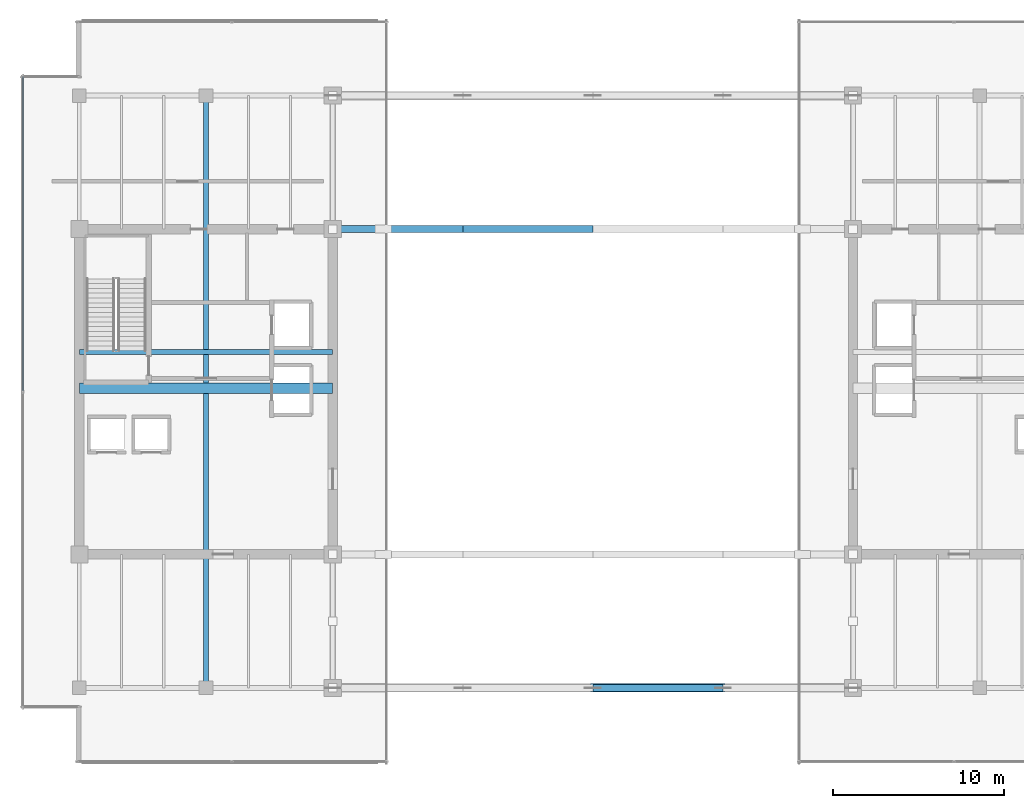
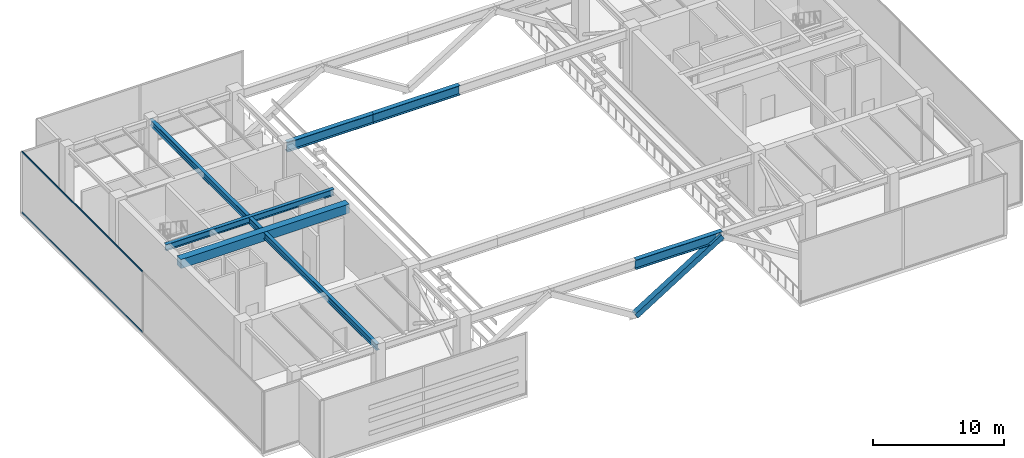
# One storey, part 7 of 30: 6 beams, 3 members, 1 element without a shape of its own.
"""IFC4 building model written with IfcOpenShell, lengths in metres."""

from ifc_helpers import new_model, si_unit, direction, frame, origin, origin_2d, place, context, subcontext, project, spatial, rectangle, hollow_rectangle, i_section, extrude, source, transform, mapped, material, layer, layer_set, material_profile, profile_set, type_object, type_shapes, element, aggregate, save


model = new_model("IFC4")

# Units and contexts
model_context = context("Model", 3, precision=1e-05, world=origin(), true_north=direction((0.0, 1.0)))
body_context = subcontext(model_context, "Body", "Model", "MODEL_VIEW")
ifc_project = project(units=[si_unit("LENGTHUNIT", "METRE"), si_unit("AREAUNIT", "SQUARE_METRE"), si_unit("VOLUMEUNIT", "CUBIC_METRE"), si_unit("PLANEANGLEUNIT", "RADIAN"), si_unit("MASSUNIT", "GRAM", prefix="KILO")], contexts=[model_context])

# Site, building, storey
site_placement = place(None, origin())
site = spatial("IfcSite", under=ifc_project, at=site_placement, CompositionType="ELEMENT")
building_placement = place(site_placement, origin())
building = spatial("IfcBuilding", under=site, at=building_placement, Name="Haelvirn Gate Laboratories", CompositionType="ELEMENT")
storey_placement = place(building_placement, frame((0.0, 0.0, 291.60009765625)))
storey = spatial("IfcBuildingStorey", under=building, at=storey_placement, Name="L70", CompositionType="ELEMENT", Elevation=291.60009765625)

# Beams
ifc_material_1 = material(Name="Steel SM355", Category="steel")
ifc_material_profile_1 = material_profile(ifc_material_1, i_section(OverallWidth=0.300048828125, OverallDepth=0.587890625, WebThickness=0.011962890625, FlangeThickness=0.02001953125, at=origin_2d()), Name="H-588x300x12x20")
ifc_profile_set_1 = profile_set([ifc_material_profile_1], Name="Steel SM355")
beam_type_1 = type_object("IfcBeamType", Name="BM-G-588", PredefinedType="BEAM", material=ifc_profile_set_1)
shared_shape_1 = source(origin(), body_context, "Body", "SweptSolid", [
    extrude(i_section(OverallWidth=0.300048828125, OverallDepth=0.587890625, WebThickness=0.011962890625, FlangeThickness=0.02001953125, at=origin_2d()), origin(), (0.0, 0.0, 1.0), 14.800048828125),
])
beam_1_placement = place(storey_placement, frame((7.39990234375, 26.6201171875, 5.406005859375), z_axis=(1.0, 0.0, 0.0), x_axis=(0.0, 1.0, 0.0)))
element("IfcBeam", 1, at=beam_1_placement, inside=storey, type_object=beam_type_1, Name="L70 Stair ST1 Landing Header", PredefinedType="BEAM", context=body_context, shape_type="MappedRepresentation", body=[
    mapped(shared_shape_1, transform((0.0, 0.0, 0.0), scale=1.0)),
])
ifc_material_2 = material(Name="Steel SM420", Category="steel")
ifc_material_profile_2 = material_profile(ifc_material_2, i_section(OverallWidth=0.39990234375, OverallDepth=0.89990234375, WebThickness=0.01904296875, FlangeThickness=0.031982421875, at=origin_2d()), Name="H-900x400x19x32")
ifc_profile_set_2 = profile_set([ifc_material_profile_2], Name="Steel SM420")
beam_type_2 = type_object("IfcBeamType", Name="BM-TG-900", PredefinedType="BEAM", material=ifc_profile_set_2)
shared_shape_2 = source(origin(), body_context, "Body", "SweptSolid", [
    extrude(i_section(OverallWidth=0.39990234375, OverallDepth=0.89990234375, WebThickness=0.01904296875, FlangeThickness=0.031982421875, at=origin_2d()), origin(), (0.0, 0.0, 1.0), 7.60009765625),
])
for number, where, z_axis, x_axis, name in (
    (2, (37.39990234375, 7.0, 5.25), (1.0, 0.0, 0.0), (0.0, 1.0, 0.0), "L71 Arch Bridge Bottom Tie Chord Y7.0-3"),
    (3, (22.199951171875, 33.800048828125, 5.25), (1.0, 0.0, 0.0), (0.0, 1.0, 0.0), "L71 Arch Bridge Bottom Tie Chord Y33.8-1"),
):
    element("IfcBeam", number, at=place(storey_placement, frame(where, z_axis=z_axis, x_axis=x_axis)), inside=storey, type_object=beam_type_2, Name=name, PredefinedType="BEAM", context=body_context, shape_type="MappedRepresentation", body=[
        mapped(shared_shape_2, transform((0.0, 0.0, 0.0), scale=1.0)),
    ])
shared_shape_3 = source(origin(), body_context, "Body", "SweptSolid", [
    extrude(i_section(OverallWidth=0.39990234375, OverallDepth=0.89990234375, WebThickness=0.01904296875, FlangeThickness=0.031982421875, at=origin_2d()), origin(), (0.0, 0.0, 1.0), 7.599853515625),
])
type_shapes(beam_type_2, [shared_shape_2, shared_shape_3])
beam_2_placement = place(storey_placement, frame((29.800048828125, 33.800048828125, 5.25), z_axis=(1.0, 0.0, 0.0), x_axis=(0.0, 1.0, 0.0)))
element("IfcBeam", 4, at=beam_2_placement, inside=storey, type_object=beam_type_2, Name="L71 Arch Bridge Bottom Tie Chord Y33.8-2", PredefinedType="BEAM", context=body_context, shape_type="MappedRepresentation", body=[
    mapped(shared_shape_3, transform((0.0, 0.0, 0.0), scale=1.0)),
])
shared_shape_4 = source(origin(), body_context, "Body", "SweptSolid", [
    extrude(i_section(OverallWidth=0.300048828125, OverallDepth=0.587890625, WebThickness=0.011962890625, FlangeThickness=0.02001953125, at=origin_2d()), origin(), (0.0, 0.0, 1.0), 34.60009765625),
])
type_shapes(beam_type_1, [shared_shape_1, shared_shape_4])
beam_3_placement = place(storey_placement, frame((14.800048828125, 7.0, 5.406005859375), z_axis=(0.0, 1.0, 0.0), x_axis=(-1.0, 0.0, 0.0)))
element("IfcBeam", 5, at=beam_3_placement, inside=storey, type_object=beam_type_1, Name="L70 Frame Girder X14.8 (7.0-41.6)", PredefinedType="BEAM", context=body_context, shape_type="MappedRepresentation", body=[
    mapped(shared_shape_4, transform((0.0, 0.0, 0.0), scale=1.0)),
])
ifc_material_3 = material(Name="Concrete C50/60", Category="concrete")
ifc_material_profile_3 = material_profile(ifc_material_3, rectangle(XDim=0.60009765625, YDim=0.85009765625, at=origin_2d()), Name="RCB-600x850")
ifc_profile_set_3 = profile_set([ifc_material_profile_3], Name="Concrete C50/60")
beam_type_3 = type_object("IfcBeamType", Name="BM-RCB-850", PredefinedType="LINTEL", material=ifc_profile_set_3)
shared_shape_5 = source(origin(), body_context, "Body", "SweptSolid", [
    extrude(rectangle(XDim=0.60009765625, YDim=0.85009765625, at=origin_2d()), origin(), (0.0, 0.0, 1.0), 14.800048828125),
])
type_shapes(beam_type_3, [shared_shape_5])
beam_4_placement = place(storey_placement, frame((7.39990234375, 24.5, 5.27490234375), z_axis=(1.0, 0.0, 0.0), x_axis=(0.0, 1.0, 0.0)))
element("IfcBeam", 6, at=beam_4_placement, inside=storey, type_object=beam_type_3, Name="L70 West Core Coupling Beam", PredefinedType="LINTEL", context=body_context, shape_type="MappedRepresentation", body=[
    mapped(shared_shape_5, transform((0.0, 0.0, 0.0), scale=1.0)),
])

# Member
ifc_material_profile_4 = material_profile(ifc_material_2, hollow_rectangle(XDim=0.5, YDim=0.5, WallThickness=0.02197265625, at=origin_2d()), Name="BOX-500x500x22")
ifc_profile_set_4 = profile_set([ifc_material_profile_4], Name="Steel SM420")
member_type_1 = type_object("IfcMemberType", Name="MEM-ARCH-WEB", PredefinedType="BRACE", material=ifc_profile_set_4)
shared_shape_6 = source(origin(), body_context, "Body", "SweptSolid", [
    extrude(hollow_rectangle(XDim=0.5, YDim=0.5, WallThickness=0.02197265625, at=origin_2d()), origin(), (0.0, 0.0, 1.0), 8.96240234375),
])
type_shapes(member_type_1, [shared_shape_6])
member_1_placement = place(storey_placement, frame((37.39990234375, 7.0, 0.5), z_axis=(0.848001364738, 0.0, 0.529994042799), x_axis=(0.0, 1.0, 0.0)))
element("IfcMember", 7, at=member_1_placement, inside=storey, type_object=member_type_1, Name="L70 Arch Bridge Sub-Truss Web Y7.0-3", PredefinedType="BRACE", context=body_context, shape_type="MappedRepresentation", body=[
    mapped(shared_shape_6, transform((0.0, 0.0, 0.0), scale=1.0)),
])

# Curtain wall, members
ifc_material_4 = material(Name="Anodised bronze unitised aluminium & triple low-E glass", Category="aluminium")
ifc_layer = layer(ifc_material_4, 0.176025390625, Name="CW-SYS-4")
ifc_layer_set = layer_set([ifc_layer], Name="Anodised bronze unitised aluminium & triple low-E glass")
curtain_wall_type = type_object("IfcCurtainWallType", Name="CW-SYS-4", PredefinedType="NOTDEFINED", material=ifc_layer_set)
curtain_wall_placement = place(storey_placement, origin())
curtain_wall = element("IfcCurtainWall", 8, at=curtain_wall_placement, inside=storey, type_object=curtain_wall_type, Name="L70 Unitised Curtain Wall CW-L70-P0-E05", PredefinedType="NOTDEFINED")
ifc_material_5 = material(Name="Extruded aluminium 6063-T6 (anodised bronze)", Category="aluminium")
ifc_material_profile_5 = material_profile(ifc_material_5, hollow_rectangle(XDim=0.06494140625, YDim=0.139892578125, WallThickness=0.00390625, at=origin_2d()), Name="CWT-140x65x4")
ifc_profile_set_5 = profile_set([ifc_material_profile_5], Name="Extruded aluminium 6063-T6 (anodised bronze)")
member_type_2 = type_object("IfcMemberType", Name="CWT-T140", PredefinedType="USERDEFINED", material=ifc_profile_set_5)
shared_shape_7 = source(origin(), body_context, "Body", "SweptSolid", [
    extrude(hollow_rectangle(XDim=0.06494140625, YDim=0.139892578125, WallThickness=0.00390625, at=origin_2d()), origin(), (0.0, 0.0, 1.0), 18.39501953125),
])
type_shapes(member_type_2, [shared_shape_7])
member_2_placement = place(storey_placement, frame((4.10009765625, 42.72998046875, 0.032470703125), z_axis=(0.0, -1.0, 0.0), x_axis=(1.0, 0.0, 0.0)))
member_2 = element("IfcMember", 9, at=member_2_placement, type_object=member_type_2, Name="CW4 transom 1.1", ObjectType="TRANSOM", PredefinedType="USERDEFINED", context=body_context, shape_type="MappedRepresentation", body=[
    mapped(shared_shape_7, transform((0.0, 0.0, 0.0), scale=1.0)),
])
member_3_placement = place(storey_placement, frame((4.10009765625, 42.72998046875, 5.66748046875), z_axis=(0.0, -1.0, 0.0), x_axis=(1.0, 0.0, 0.0)))
member_3 = element("IfcMember", 10, at=member_3_placement, type_object=member_type_2, Name="CW4 transom 1.2", ObjectType="TRANSOM", PredefinedType="USERDEFINED", context=body_context, shape_type="MappedRepresentation", body=[
    mapped(shared_shape_7, transform((0.0, 0.0, 0.0), scale=1.0)),
])
aggregate(curtain_wall, [member_2, member_3])

save(model, "model.ifc")
